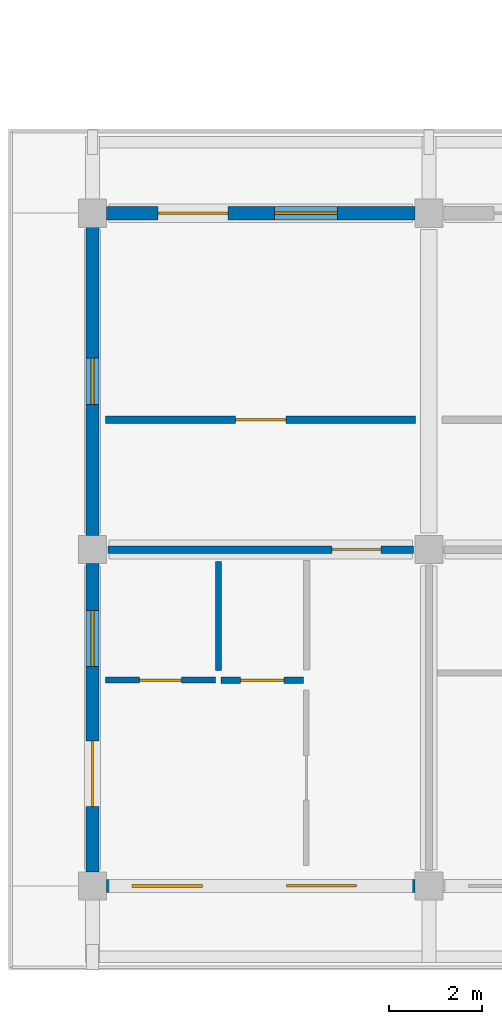
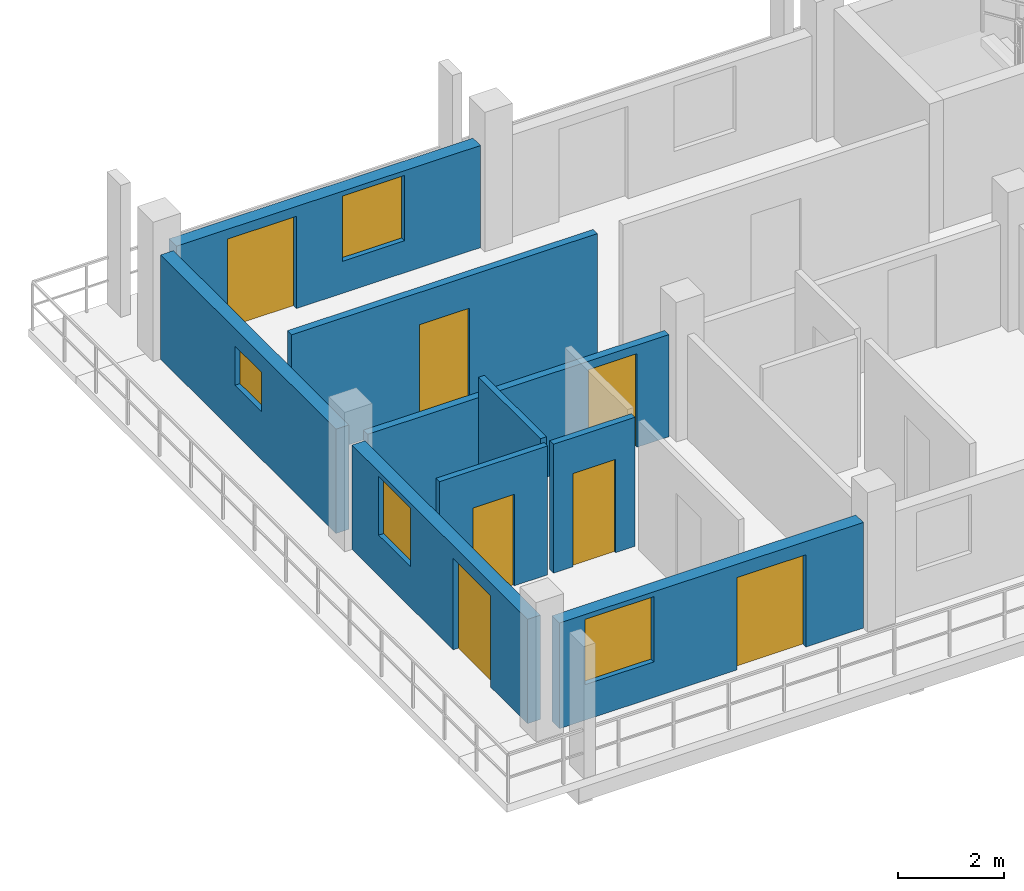
# One storey, part 118 of 157: 9 walls, 7 doors, 4 windows, 11 openings.
"""IFC4 building model written with IfcOpenShell, lengths in metres."""

from ifc_helpers import new_model, si_unit, direction, frame, frame_2d, origin, place, context, subcontext, project, spatial, rectangle, extrude, material, layer, layer_set, type_object, element, fill, save


model = new_model("IFC4")

# Units and contexts
model_context = context("Model", 3, precision=1e-05, world=origin(), true_north=direction((0.0, 1.0)))
body_context = subcontext(model_context, "Body", "Model", "MODEL_VIEW")
ifc_project = project(units=[si_unit("LENGTHUNIT", "METRE"), si_unit("AREAUNIT", "SQUARE_METRE"), si_unit("VOLUMEUNIT", "CUBIC_METRE"), si_unit("PLANEANGLEUNIT", "RADIAN"), si_unit("MASSUNIT", "GRAM", prefix="KILO")], contexts=[model_context])

# Site, building, storey
site_placement = place(None, origin())
site = spatial("IfcSite", under=ifc_project, at=site_placement, CompositionType="ELEMENT")
building_placement = place(site_placement, origin())
building = spatial("IfcBuilding", under=site, at=building_placement, Name="Suanplinth Sawtooth Commons", CompositionType="ELEMENT")
storey_placement = place(building_placement, frame((0.0, 0.0, 9.0)))
storey = spatial("IfcBuildingStorey", under=building, at=storey_placement, Name="L02", CompositionType="ELEMENT", Elevation=9.0)

# Wall, openings, door, window
ifc_material_1 = material(Name="Precast concrete C40/50", Category="concrete")
ifc_layer_1 = layer(ifc_material_1, 0.280029296875, Name="Insulated precast architectural facade wall 280mm")
ifc_layer_set_1 = layer_set([ifc_layer_1], Name="Precast concrete C40/50")
wall_type_1 = type_object("IfcWallType", Name="W-EX01", PredefinedType="ELEMENTEDWALL", material=ifc_layer_set_1)
wall_1_placement = place(storey_placement, frame((122.699951171875, 0.0, 0.0), z_axis=(0.0, 0.0, 1.0), x_axis=(1.0, 0.0, 0.0)))
wall_1 = element("IfcWall", 1, at=wall_1_placement, inside=storey, type_object=wall_type_1, Name="Facade Wall W-L02-C-S-17-0", PredefinedType="ELEMENTEDWALL", context=body_context, shape_type="SweptSolid", body=[
    extrude(rectangle(XDim=6.60009765625, YDim=0.280029296875, at=frame_2d((3.300048828125, 0.0))), origin(), (0.0, 0.0, 1.0), 2.425048828125),
])
opening_1_placement = place(wall_1_placement, frame((3.85009765625, 0.0, 0.0)))
opening_1 = element("IfcOpeningElement", 2, at=opening_1_placement, cuts=wall_1, Name="Opening ED0177", PredefinedType="OPENING", context=body_context, shape_type="SweptSolid", body=[
    extrude(rectangle(XDim=1.5, YDim=2.1201171875, at=frame_2d((0.75, 1.06005859375))), frame((0.0, 0.15478515625, 0.0), z_axis=(0.0, -1.0, 0.0), x_axis=(1.0, 0.0, 0.0)), (0.0, 0.0, 1.0), 0.309814453125),
])
opening_2_placement = place(wall_1_placement, frame((0.550048828125, 0.0, 0.81494140625)))
opening_2 = element("IfcOpeningElement", 3, at=opening_2_placement, cuts=wall_1, Name="Opening W0290", PredefinedType="OPENING", context=body_context, shape_type="SweptSolid", body=[
    extrude(rectangle(XDim=1.5, YDim=1.5, at=frame_2d((0.75, 0.75))), frame((0.0, 0.15478515625, 0.0), z_axis=(0.0, -1.0, 0.0), x_axis=(1.0, 0.0, 0.0)), (0.0, 0.0, 1.0), 0.309814453125),
])
ifc_material_2 = material(Name="Anodized aluminium and low-E glass", Category="aluminium")
door_type_1 = type_object("IfcDoorType", Name="SD-03", OperationType="SLIDING_TO_LEFT", PredefinedType="DOOR", material=ifc_material_2)
door_1_placement = place(opening_1_placement, frame((1.5, 0.0, 0.0), z_axis=(0.0, 0.0, 1.0), x_axis=(-1.0, 0.0, 0.0)))
door_1 = element("IfcDoor", 4, at=door_1_placement, inside=storey, type_object=door_type_1, Name="Balcony Sliding Door L02-C-17", OperationType="SLIDING_TO_LEFT", OverallHeight=2.1201171875, OverallWidth=1.5, PredefinedType="DOOR", context=body_context, shape_type="SweptSolid", body=[
    extrude(rectangle(XDim=1.5, YDim=2.1201171875, at=frame_2d((0.75, 1.06005859375))), frame((0.0, 0.02490234375, 0.0), z_axis=(0.0, -1.0, 0.0), x_axis=(1.0, 0.0, 0.0)), (0.0, 0.0, 1.0), 0.050048828125),
])
fill(opening_1, door_1)
ifc_material_3 = material(Name="Thermally broken aluminium and low-E double glazing", Category="aluminium")
window_type_1 = type_object("IfcWindowType", Name="WN-02", PartitioningType="DOUBLE_PANEL_VERTICAL", PredefinedType="WINDOW", material=ifc_material_3)
window_1_placement = place(opening_2_placement, origin())
window_1 = element("IfcWindow", 5, at=window_1_placement, inside=storey, type_object=window_type_1, Name="Apartment Window L02-C-17", OverallHeight=1.5, OverallWidth=1.5, PartitioningType="DOUBLE_PANEL_VERTICAL", PredefinedType="WINDOW", context=body_context, shape_type="SweptSolid", body=[
    extrude(rectangle(XDim=1.5, YDim=1.5, at=frame_2d((0.75, 0.75))), frame((0.0, 0.030029296875, 0.0), z_axis=(0.0, -1.0, 0.0), x_axis=(1.0, 0.0, 0.0)), (0.0, 0.0, 1.0), 0.06005859375),
])
fill(opening_2, window_1)

wall_2_placement = place(storey_placement, frame((122.39990234375, 0.300048828125, 0.0), z_axis=(0.0, 0.0, 1.0), x_axis=(0.0, 1.0, 0.0)))
wall_2 = element("IfcWall", 6, at=wall_2_placement, inside=storey, type_object=wall_type_1, Name="Facade Wall W-L02-C-W-17-0", PredefinedType="ELEMENTEDWALL", context=body_context, shape_type="SweptSolid", body=[
    extrude(rectangle(XDim=6.599853515625, YDim=0.280029296875, at=frame_2d((3.2998046875, 0.0))), origin(), (0.0, 0.0, 1.0), 2.39501953125),
])
opening_3_placement = place(wall_2_placement, frame((1.39990234375, 0.0, 0.0)))
opening_3 = element("IfcOpeningElement", 7, at=opening_3_placement, cuts=wall_2, Name="Opening ED0178", PredefinedType="OPENING", context=body_context, shape_type="SweptSolid", body=[
    extrude(rectangle(XDim=1.39990234375, YDim=2.10009765625, at=frame_2d((0.699951171875, 1.050048828125))), frame((0.0, 0.15478515625, 0.0), z_axis=(0.0, -1.0, 0.0), x_axis=(1.0, 0.0, 0.0)), (0.0, 0.0, 1.0), 0.309814453125),
])
opening_4_placement = place(wall_2_placement, frame((4.39990234375, 0.0, 0.93505859375)))
opening_4 = element("IfcOpeningElement", 8, at=opening_4_placement, cuts=wall_2, Name="Opening W0291", PredefinedType="OPENING", context=body_context, shape_type="SweptSolid", body=[
    extrude(rectangle(XDim=1.199951171875, YDim=1.35009765625, at=frame_2d((0.60009765625, 0.675048828125))), frame((0.0, 0.15478515625, 0.0), z_axis=(0.0, -1.0, 0.0), x_axis=(1.0, 0.0, 0.0)), (0.0, 0.0, 1.0), 0.309814453125),
])
door_type_2 = type_object("IfcDoorType", Name="SD-07", OperationType="SLIDING_TO_RIGHT", PredefinedType="DOOR", material=ifc_material_2)
door_2_placement = place(opening_3_placement, frame((1.39990234375, 0.0, 0.0), z_axis=(0.0, 0.0, 1.0), x_axis=(-1.0, 0.0, 0.0)))
door_2 = element("IfcDoor", 9, at=door_2_placement, inside=storey, type_object=door_type_2, Name="End Balcony Sliding Door L02-C-W-17-0", OperationType="SLIDING_TO_RIGHT", OverallHeight=2.10009765625, OverallWidth=1.39990234375, PredefinedType="DOOR", context=body_context, shape_type="SweptSolid", body=[
    extrude(rectangle(XDim=1.39990234375, YDim=2.10009765625, at=frame_2d((0.699951171875, 1.050048828125))), frame((0.0, 0.02490234375, 0.0), z_axis=(0.0, -1.0, 0.0), x_axis=(1.0, 0.0, 0.0)), (0.0, 0.0, 1.0), 0.050048828125),
])
fill(opening_3, door_2)
window_type_2 = type_object("IfcWindowType", Name="WN-03", PartitioningType="SINGLE_PANEL", PredefinedType="WINDOW", material=ifc_material_3)
window_2_placement = place(opening_4_placement, origin())
window_2 = element("IfcWindow", 10, at=window_2_placement, inside=storey, type_object=window_type_2, Name="End Bedroom Window L02-C-17-0", OverallHeight=1.35009765625, OverallWidth=1.199951171875, PartitioningType="SINGLE_PANEL", PredefinedType="WINDOW", context=body_context, shape_type="SweptSolid", body=[
    extrude(rectangle(XDim=1.199951171875, YDim=1.35009765625, at=frame_2d((0.60009765625, 0.675048828125))), frame((0.0, 0.030029296875, 0.0), z_axis=(0.0, -1.0, 0.0), x_axis=(1.0, 0.0, 0.0)), (0.0, 0.0, 1.0), 0.06005859375),
])
fill(opening_4, window_2)

wall_3_placement = place(storey_placement, frame((122.699951171875, 14.39990234375, 0.0), z_axis=(0.0, 0.0, 1.0), x_axis=(1.0, 0.0, 0.0)))
wall_3 = element("IfcWall", 11, at=wall_3_placement, inside=storey, type_object=wall_type_1, Name="Facade Wall W-L02-C-N-17-1", PredefinedType="ELEMENTEDWALL", context=body_context, shape_type="SweptSolid", body=[
    extrude(rectangle(XDim=6.60009765625, YDim=0.280029296875, at=frame_2d((3.300048828125, 0.0))), origin(), (0.0, 0.0, 1.0), 2.344970703125),
])
opening_5_placement = place(wall_3_placement, frame((1.10009765625, 0.0, 0.0)))
opening_5 = element("IfcOpeningElement", 12, at=opening_5_placement, cuts=wall_3, Name="Opening ED0179", PredefinedType="OPENING", context=body_context, shape_type="SweptSolid", body=[
    extrude(rectangle(XDim=1.5, YDim=2.1201171875, at=frame_2d((0.75, 1.06005859375))), frame((0.0, 0.15478515625, 0.0), z_axis=(0.0, -1.0, 0.0), x_axis=(1.0, 0.0, 0.0)), (0.0, 0.0, 1.0), 0.309814453125),
])
opening_6_placement = place(wall_3_placement, frame((3.60009765625, 0.0, 0.735107421875)))
opening_6 = element("IfcOpeningElement", 13, at=opening_6_placement, cuts=wall_3, Name="Opening W0292", PredefinedType="OPENING", context=body_context, shape_type="SweptSolid", body=[
    extrude(rectangle(XDim=1.35009765625, YDim=1.5, at=frame_2d((0.675048828125, 0.75))), frame((0.0, 0.15478515625, 0.0), z_axis=(0.0, -1.0, 0.0), x_axis=(1.0, 0.0, 0.0)), (0.0, 0.0, 1.0), 0.309814453125),
])
door_3_placement = place(opening_5_placement, frame((1.5, 0.0, 0.0), z_axis=(0.0, 0.0, 1.0), x_axis=(-1.0, 0.0, 0.0)))
door_3 = element("IfcDoor", 14, at=door_3_placement, inside=storey, type_object=door_type_1, Name="Courtyard Balcony Door L02-C-17", OperationType="SLIDING_TO_LEFT", OverallHeight=2.1201171875, OverallWidth=1.5, PredefinedType="DOOR", context=body_context, shape_type="SweptSolid", body=[
    extrude(rectangle(XDim=1.5, YDim=2.1201171875, at=frame_2d((0.75, 1.06005859375))), frame((0.0, 0.02490234375, 0.0), z_axis=(0.0, -1.0, 0.0), x_axis=(1.0, 0.0, 0.0)), (0.0, 0.0, 1.0), 0.050048828125),
])
fill(opening_5, door_3)
window_type_3 = type_object("IfcWindowType", Name="WN-14", PartitioningType="SINGLE_PANEL", PredefinedType="WINDOW", material=ifc_material_3)
window_3_placement = place(opening_6_placement, origin())
window_3 = element("IfcWindow", 15, at=window_3_placement, inside=storey, type_object=window_type_3, Name="Courtyard Window L02-C-17", OverallHeight=1.5, OverallWidth=1.35009765625, PartitioningType="SINGLE_PANEL", PredefinedType="WINDOW", context=body_context, shape_type="SweptSolid", body=[
    extrude(rectangle(XDim=1.35009765625, YDim=1.5, at=frame_2d((0.675048828125, 0.75))), frame((0.0, 0.030029296875, 0.0), z_axis=(0.0, -1.0, 0.0), x_axis=(1.0, 0.0, 0.0)), (0.0, 0.0, 1.0), 0.06005859375),
])
fill(opening_6, window_3)

# Wall, opening, window
wall_4_placement = place(storey_placement, frame((122.39990234375, 7.5, 0.0), z_axis=(0.0, 0.0, 1.0), x_axis=(0.0, 1.0, 0.0)))
wall_4 = element("IfcWall", 16, at=wall_4_placement, inside=storey, type_object=wall_type_1, Name="Facade Wall W-L02-C-W-17-1", PredefinedType="ELEMENTEDWALL", context=body_context, shape_type="SweptSolid", body=[
    extrude(rectangle(XDim=6.60009765625, YDim=0.280029296875, at=frame_2d((3.300048828125, 0.0))), origin(), (0.0, 0.0, 1.0), 2.39501953125),
])
opening_7_placement = place(wall_4_placement, frame((2.800048828125, 0.0, 1.10009765625)))
opening_7 = element("IfcOpeningElement", 17, at=opening_7_placement, cuts=wall_4, Name="Opening W0293", PredefinedType="OPENING", context=body_context, shape_type="SweptSolid", body=[
    extrude(rectangle(XDim=1.0, YDim=0.89990234375, at=frame_2d((0.5, 0.449951171875))), frame((0.0, 0.15478515625, 0.0), z_axis=(0.0, -1.0, 0.0), x_axis=(1.0, 0.0, 0.0)), (0.0, 0.0, 1.0), 0.309814453125),
])
window_type_4 = type_object("IfcWindowType", Name="WN-12", PartitioningType="SINGLE_PANEL", PredefinedType="WINDOW", material=ifc_material_3)
window_4_placement = place(opening_7_placement, origin())
window_4 = element("IfcWindow", 18, at=window_4_placement, inside=storey, type_object=window_type_4, Name="End Window L02-C-W-17-1", OverallHeight=0.89990234375, OverallWidth=1.0, PartitioningType="SINGLE_PANEL", PredefinedType="WINDOW", context=body_context, shape_type="SweptSolid", body=[
    extrude(rectangle(XDim=1.0, YDim=0.89990234375, at=frame_2d((0.5, 0.449951171875))), frame((0.0, 0.030029296875, 0.0), z_axis=(0.0, -1.0, 0.0), x_axis=(1.0, 0.0, 0.0)), (0.0, 0.0, 1.0), 0.06005859375),
])
fill(opening_7, window_4)

# Wall, opening, door
ifc_layer_2 = layer(ifc_material_1, 0.159912109375, Name="Fire-rated corridor and lobby wall 160mm")
ifc_layer_set_2 = layer_set([ifc_layer_2], Name="Precast concrete C40/50")
wall_type_2 = type_object("IfcWallType", Name="W-FW01", PredefinedType="PARTITIONING", material=ifc_layer_set_2)
wall_5_placement = place(storey_placement, frame((122.72998046875, 7.199951171875, 0.0), z_axis=(0.0, 0.0, 1.0), x_axis=(1.0, 0.0, 0.0)))
wall_5 = element("IfcWall", 19, at=wall_5_placement, inside=storey, type_object=wall_type_2, Name="W-C-L02-U01-COR", PredefinedType="PARTITIONING", context=body_context, shape_type="SweptSolid", body=[
    extrude(rectangle(XDim=6.5400390625, YDim=0.159912109375, at=frame_2d((3.27001953125, 0.0))), origin(), (0.0, 0.0, 1.0), 2.344970703125),
])
opening_8_placement = place(wall_5_placement, frame((4.794921875, 0.0, 0.0)))
opening_8 = element("IfcOpeningElement", 20, at=opening_8_placement, cuts=wall_5, Name="Opening FD0787", PredefinedType="OPENING", context=body_context, shape_type="SweptSolid", body=[
    extrude(rectangle(XDim=1.050048828125, YDim=2.14990234375, at=frame_2d((0.52490234375, 1.074951171875))), frame((0.0, 0.0947265625, 0.0), z_axis=(0.0, -1.0, 0.0), x_axis=(1.0, 0.0, 0.0)), (0.0, 0.0, 1.0), 0.189697265625),
])
ifc_material_4 = material(Name="Teak hardwood fire-rated door assembly", Category="wood")
door_type_3 = type_object("IfcDoorType", Name="FD-04", OperationType="NOTDEFINED", PredefinedType="DOOR", material=ifc_material_4)
door_4_placement = place(opening_8_placement, frame((1.050048828125, 0.0, 0.0), z_axis=(0.0, 0.0, 1.0), x_axis=(-1.0, 0.0, 0.0)))
door_4 = element("IfcDoor", 21, at=door_4_placement, inside=storey, type_object=door_type_3, Name="Unit Entrance Door FD0787", OperationType="SINGLE_SWING_LEFT", OverallHeight=2.14990234375, OverallWidth=1.050048828125, PredefinedType="DOOR", context=body_context, shape_type="SweptSolid", body=[
    extrude(rectangle(XDim=1.050048828125, YDim=2.14990234375, at=frame_2d((0.52490234375, 1.074951171875))), frame((0.0, 0.02490234375, 0.0), z_axis=(0.0, -1.0, 0.0), x_axis=(1.0, 0.0, 0.0)), (0.0, 0.0, 1.0), 0.050048828125),
])
fill(opening_8, door_4)

wall_6_placement = place(storey_placement, frame((122.679931640625, 9.97998046875, 0.0), z_axis=(0.0, 0.0, 1.0), x_axis=(1.0, 0.0, 0.0)))
wall_6 = element("IfcWall", 22, at=wall_6_placement, inside=storey, type_object=wall_type_2, Name="W-C-L02-COURTROOM-49-COR", PredefinedType="PARTITIONING", context=body_context, shape_type="SweptSolid", body=[
    extrude(rectangle(XDim=6.64013671875, YDim=0.159912109375, at=frame_2d((3.320068359375, 0.0))), origin(), (0.0, 0.0, 1.0), 2.9599609375),
])
opening_9_placement = place(wall_6_placement, frame((2.780029296875, 0.0, 0.0)))
opening_9 = element("IfcOpeningElement", 23, at=opening_9_placement, cuts=wall_6, Name="Opening D0814", PredefinedType="OPENING", context=body_context, shape_type="SweptSolid", body=[
    extrude(rectangle(XDim=1.080078125, YDim=2.219970703125, at=frame_2d((0.5400390625, 1.10986328125))), frame((0.0, 0.0947265625, 0.0), z_axis=(0.0, -1.0, 0.0), x_axis=(1.0, 0.0, 0.0)), (0.0, 0.0, 1.0), 0.189697265625),
])
ifc_material_5 = material(Name="Teak hardwood", Category="wood")
door_type_4 = type_object("IfcDoorType", Name="D-17", OperationType="NOTDEFINED", PredefinedType="DOOR", material=ifc_material_5)
door_5_placement = place(opening_9_placement, origin())
door_5 = element("IfcDoor", 24, at=door_5_placement, inside=storey, type_object=door_type_4, Name="Study Studio Door D0814", OperationType="SINGLE_SWING_RIGHT", OverallHeight=2.219970703125, OverallWidth=1.080078125, PredefinedType="DOOR", context=body_context, shape_type="SweptSolid", body=[
    extrude(rectangle(XDim=1.080078125, YDim=2.219970703125, at=frame_2d((0.5400390625, 1.10986328125))), frame((0.0, 0.02490234375, 0.0), z_axis=(0.0, -1.0, 0.0), x_axis=(1.0, 0.0, 0.0)), (0.0, 0.0, 1.0), 0.050048828125),
])
fill(opening_9, door_5)

ifc_material_6 = material(Name="Gypsum plasterboard on steel stud", Category="steel")
ifc_layer_3 = layer(ifc_material_6, 0.139892578125, Name="Fire-rated kitchen partition 140mm")
ifc_layer_set_3 = layer_set([ifc_layer_3], Name="Gypsum plasterboard on steel stud")
wall_type_3 = type_object("IfcWallType", Name="W-PT01", PredefinedType="PARTITIONING", material=ifc_layer_set_3)
wall_7_placement = place(storey_placement, frame((125.14990234375, 4.39990234375, 0.0), z_axis=(0.0, 0.0, 1.0), x_axis=(1.0, 0.0, 0.0)))
wall_7 = element("IfcWall", 25, at=wall_7_placement, inside=storey, type_object=wall_type_3, Name="W-C-L02-U01-KIT1", PredefinedType="PARTITIONING", context=body_context, shape_type="SweptSolid", body=[
    extrude(rectangle(XDim=1.77001953125, YDim=0.139892578125, at=frame_2d((0.885009765625, 0.0))), origin(), (0.0, 0.0, 1.0), 2.9599609375),
])
opening_10_placement = place(wall_7_placement, frame((0.419921875, 0.0, 0.0)))
opening_10 = element("IfcOpeningElement", 26, at=opening_10_placement, cuts=wall_7, Name="Opening D0789", PredefinedType="OPENING", context=body_context, shape_type="SweptSolid", body=[
    extrude(rectangle(XDim=0.929931640625, YDim=2.139892578125, at=frame_2d((0.46484375, 1.06982421875))), frame((0.0, 0.0849609375, 0.0), z_axis=(0.0, -1.0, 0.0), x_axis=(1.0, 0.0, 0.0)), (0.0, 0.0, 1.0), 0.169677734375),
])
door_type_5 = type_object("IfcDoorType", Name="D-19", OperationType="NOTDEFINED", PredefinedType="DOOR", material=ifc_material_5)
door_6_placement = place(opening_10_placement, origin())
door_6 = element("IfcDoor", 27, at=door_6_placement, inside=storey, type_object=door_type_5, Name="Kitchen Door D0789", OperationType="SINGLE_SWING_LEFT", OverallHeight=2.139892578125, OverallWidth=0.929931640625, PredefinedType="DOOR", context=body_context, shape_type="SweptSolid", body=[
    extrude(rectangle(XDim=0.929931640625, YDim=2.139892578125, at=frame_2d((0.46484375, 1.06982421875))), frame((0.0, 0.02490234375, 0.0), z_axis=(0.0, -1.0, 0.0), x_axis=(1.0, 0.0, 0.0)), (0.0, 0.0, 1.0), 0.050048828125),
])
fill(opening_10, door_6)

ifc_layer_4 = layer(ifc_material_6, 0.1298828125, Name="Moisture-resistant bathroom partition 130mm")
ifc_layer_set_4 = layer_set([ifc_layer_4], Name="Gypsum plasterboard on steel stud")
wall_type_4 = type_object("IfcWallType", Name="W-PT02", PredefinedType="PARTITIONING", material=ifc_layer_set_4)
wall_8_placement = place(storey_placement, frame((122.679931640625, 4.405029296875, 0.0), z_axis=(0.0, 0.0, 1.0), x_axis=(1.0, 0.0, 0.0)))
wall_8 = element("IfcWall", 28, at=wall_8_placement, inside=storey, type_object=wall_type_4, Name="W-C-L02-U01-BTH1", PredefinedType="PARTITIONING", context=body_context, shape_type="SweptSolid", body=[
    extrude(rectangle(XDim=2.35009765625, YDim=0.1298828125, at=frame_2d((1.175048828125, 0.0))), origin(), (0.0, 0.0, 1.0), 2.9599609375),
])
opening_11_placement = place(wall_8_placement, frame((0.72509765625, 0.0, 0.0)))
opening_11 = element("IfcOpeningElement", 29, at=opening_11_placement, cuts=wall_8, Name="Opening D0788", PredefinedType="OPENING", context=body_context, shape_type="SweptSolid", body=[
    extrude(rectangle(XDim=0.89990234375, YDim=2.10009765625, at=frame_2d((0.449951171875, 1.050048828125))), frame((0.0, 0.079833984375, 0.0), z_axis=(0.0, -1.0, 0.0), x_axis=(1.0, 0.0, 0.0)), (0.0, 0.0, 1.0), 0.15966796875),
])
door_type_6 = type_object("IfcDoorType", Name="D-01", OperationType="NOTDEFINED", PredefinedType="DOOR", material=ifc_material_5)
door_7_placement = place(opening_11_placement, origin())
door_7 = element("IfcDoor", 30, at=door_7_placement, inside=storey, type_object=door_type_6, Name="Bathroom Door D0788", OperationType="SINGLE_SWING_RIGHT", OverallHeight=2.10009765625, OverallWidth=0.89990234375, PredefinedType="DOOR", context=body_context, shape_type="SweptSolid", body=[
    extrude(rectangle(XDim=0.89990234375, YDim=2.10009765625, at=frame_2d((0.449951171875, 1.050048828125))), frame((0.0, 0.02490234375, 0.0), z_axis=(0.0, -1.0, 0.0), x_axis=(1.0, 0.0, 0.0)), (0.0, 0.0, 1.0), 0.050048828125),
])
fill(opening_11, door_7)

# Wall
wall_9_placement = place(storey_placement, frame((125.094970703125, 4.610107421875, 0.0), z_axis=(0.0, 0.0, 1.0), x_axis=(0.0, 1.0, 0.0)))
element("IfcWall", 31, at=wall_9_placement, inside=storey, type_object=wall_type_4, Name="W-C-L02-U01-BTH2", PredefinedType="PARTITIONING", context=body_context, shape_type="SweptSolid", body=[
    extrude(rectangle(XDim=2.329833984375, YDim=0.1298828125, at=frame_2d((1.1650390625, 0.0))), origin(), (0.0, 0.0, 1.0), 2.9599609375),
])

save(model, "model.ifc")
